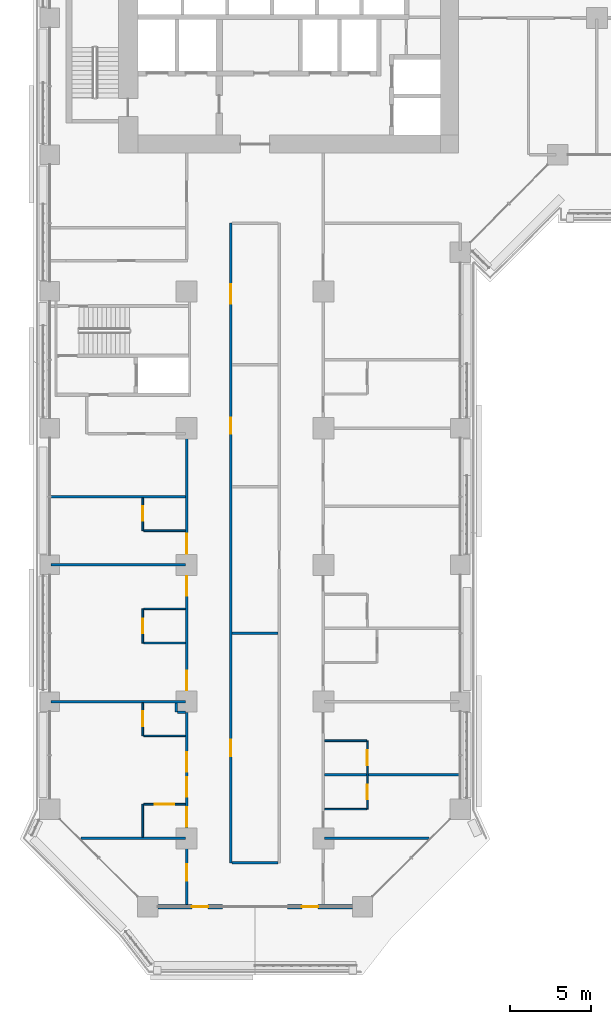
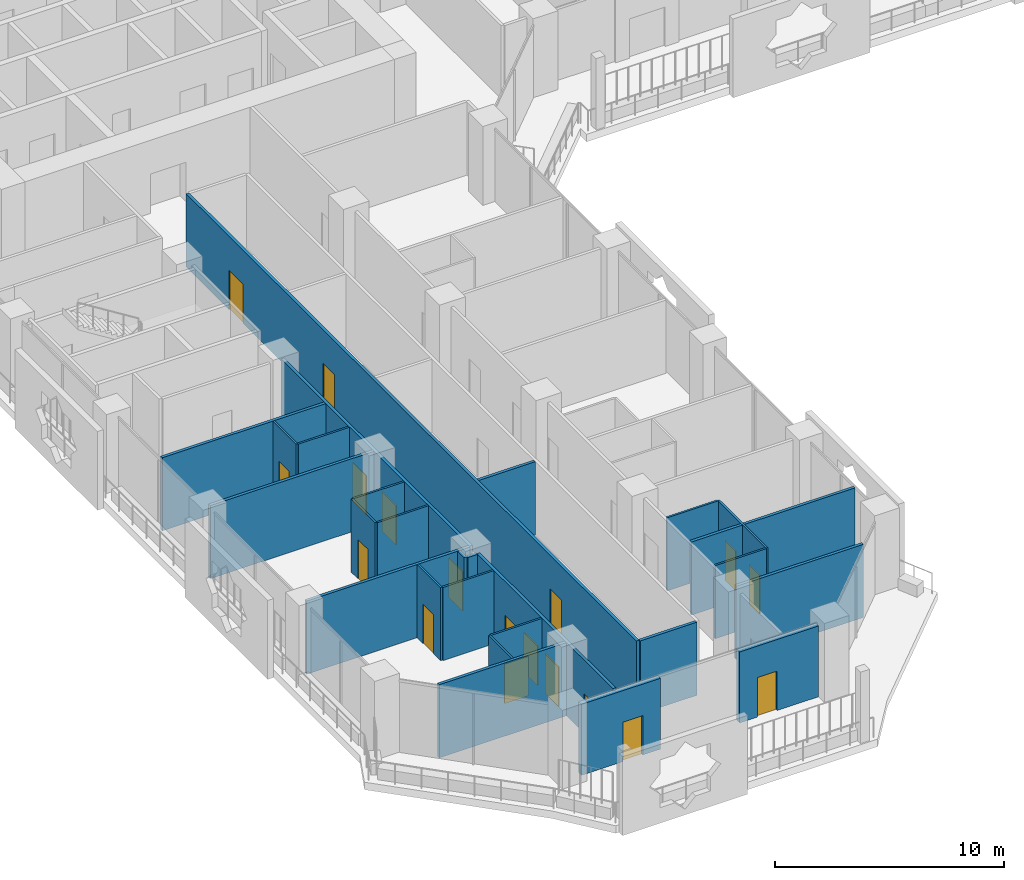
# One storey, part 13 of 28: 27 walls, 18 doors, 18 openings.
"""IFC4 building model written with IfcOpenShell, lengths in metres."""

import ifcopenshell
import ifcopenshell.guid

model = None  # the IFC model being written
_history = None  # IfcOwnerHistory: only IFC2X3 demands one
_inside = {}  # id of a spatial element -> (the spatial element, [elements in it])
_under = {}  # id of a project, library or spatial element -> (it, [spatial elements below it])
_declared = {}  # id of a project -> (the project, [libraries it declares])
_typed = {}  # id of a type object -> (the type object, [elements of that type])
_made_of = {}  # id of a material, layer set ... -> (it, [elements and type objects made of it])


def new_model(schema):
    """Start an empty IFC model of exactly this schema.

    Asked for "IFC4X3", IfcOpenShell would pick the latest addendum, in which some entities
    have other attributes; the version numbers below select the first issue.
    IFC2X3 requires an IfcOwnerHistory on every rooted entity: one is made here for all.
    """
    global model, _history
    if schema == "IFC4X3":
        model = ifcopenshell.file(schema_version=(4, 3, 0, 0))
    else:
        model = ifcopenshell.file(schema=schema)
    _inside.clear()
    _under.clear()
    _declared.clear()
    _typed.clear()
    _made_of.clear()
    _history = None
    if model.schema == "IFC2X3":
        org = make("IfcOrganization", Name="unknown")
        user = make(
            "IfcPersonAndOrganization",
            ThePerson=make("IfcPerson", FamilyName="unknown"),
            TheOrganization=org,
        )
        app = make(
            "IfcApplication",
            ApplicationDeveloper=org,
            Version="unknown",
            ApplicationFullName="unknown",
            ApplicationIdentifier="unknown",
        )
        _history = make(
            "IfcOwnerHistory",
            OwningUser=user,
            OwningApplication=app,
            ChangeAction="ADDED",
            CreationDate=0,
        )
    return model


def make(cls, **values):
    """One entity of the class cls with the attributes given. An attribute that is None is left unset."""
    return model.create_entity(
        cls, **{name: value for name, value in values.items() if value is not None}
    )


def rooted(cls, **values):
    """An entity with a GlobalId (a new one), such as an element, a storey or a relation."""
    return make(cls, GlobalId=ifcopenshell.guid.new(), OwnerHistory=_history, **values)


def si_unit(unit_type, name, prefix=None):
    """IfcSIUnit, for example si_unit("LENGTHUNIT", "METRE", prefix="MILLI")."""
    return make("IfcSIUnit", UnitType=unit_type, Prefix=prefix, Name=name)


def assignment(units):
    """IfcUnitAssignment: the units of a project."""
    return None if units is None else make("IfcUnitAssignment", Units=units)


def point(xyz):
    """IfcCartesianPoint."""
    return None if xyz is None else make("IfcCartesianPoint", Coordinates=xyz)


def direction(xyz):
    """IfcDirection."""
    return None if xyz is None else make("IfcDirection", DirectionRatios=xyz)


def frame(location, z_axis=None, x_axis=None):
    """IfcAxis2Placement3D, a coordinate frame: its origin and axes. An axis left out is left unset."""
    return make(
        "IfcAxis2Placement3D",
        Location=point(location),
        Axis=direction(z_axis),
        RefDirection=direction(x_axis),
    )


def frame_2d(location, x_axis=None):
    """IfcAxis2Placement2D, a coordinate frame in the plane: its origin and x axis."""
    return make(
        "IfcAxis2Placement2D", Location=point(location), RefDirection=direction(x_axis)
    )


def origin():
    """The frame at (0, 0, 0) with its axes left unset."""
    return frame((0.0, 0.0, 0.0))


def place(relative_to, where):
    """IfcLocalPlacement: puts the frame where relative to a parent placement (None: the world)."""
    return make(
        "IfcLocalPlacement", PlacementRelTo=relative_to, RelativePlacement=where
    )


def context(
    kind, dimensions, precision=None, world=None, true_north=None, identifier=None
):
    """IfcGeometricRepresentationContext, for example the 3D "Model" context."""
    return make(
        "IfcGeometricRepresentationContext",
        ContextIdentifier=identifier,
        ContextType=kind,
        CoordinateSpaceDimension=dimensions,
        Precision=precision,
        WorldCoordinateSystem=world,
        TrueNorth=true_north,
    )


def subcontext(parent, identifier, kind, view, scale=None):
    """IfcGeometricRepresentationSubContext, for example "Body" below "Model"."""
    return make(
        "IfcGeometricRepresentationSubContext",
        ContextIdentifier=identifier,
        ContextType=kind,
        ParentContext=parent,
        TargetScale=scale,
        TargetView=view,
    )


def project(units=None, contexts=None):
    """IfcProject with its units and contexts."""
    return rooted(
        "IfcProject",
        Name="project",
        RepresentationContexts=contexts,
        UnitsInContext=assignment(units),
    )


def spatial(cls, under=None, at=None, **own):
    """A site, building, storey or space (cls), placed at a placement, below another one or the project."""
    s = rooted(cls, ObjectPlacement=at, **own)
    if under is not None:
        _under.setdefault(under.id(), (under, []))[1].append(s)
    return s


def profile(cls, at=None, kind="AREA", **sizes):
    """A parametric profile (cls). Its sizes go by their IFC names, for example OverallWidth=200.0."""
    return make(cls, ProfileType=kind, Position=at, **sizes)


def rectangle(**sizes):
    """IfcRectangleProfileDef."""
    return profile("IfcRectangleProfileDef", **sizes)


def extrude(swept, where, along, depth):
    """IfcExtrudedAreaSolid: the profile swept, set in the frame where, extruded along a direction by depth."""
    return make(
        "IfcExtrudedAreaSolid",
        SweptArea=swept,
        Position=where,
        ExtrudedDirection=direction(along),
        Depth=depth,
    )


def shape(context_of_items, identifier, shape_type, items):
    """IfcShapeRepresentation: the items that make up one representation, for example the "Body"."""
    return make(
        "IfcShapeRepresentation",
        ContextOfItems=context_of_items,
        RepresentationIdentifier=identifier,
        RepresentationType=shape_type,
        Items=items,
    )


def material(Name=None, Category=None):
    """IfcMaterial."""
    return make("IfcMaterial", Name=Name, Category=Category)


def layer(
    of_material, thickness, ventilated=None, Name=None, Category=None, Priority=None
):
    """IfcMaterialLayer: one layer of a wall or slab, of a material (None: an air gap)."""
    return make(
        "IfcMaterialLayer",
        Material=of_material,
        LayerThickness=thickness,
        IsVentilated=ventilated,
        Name=Name,
        Category=Category,
        Priority=Priority,
    )


def layer_set(layers, Name=None):
    """IfcMaterialLayerSet."""
    return make("IfcMaterialLayerSet", MaterialLayers=layers, LayerSetName=Name)


def made_of(thing, what):
    """Note that an element or type object is made of a material, layer set ...; save() writes the relation."""
    if what is not None:
        _made_of.setdefault(what.id(), (what, []))[1].append(thing)
    return thing


def type_object(cls, material=None, **own):
    """A type object (cls), such as IfcWallType, which elements share."""
    return made_of(rooted(cls, **own), material)


def element(
    cls,
    number,
    at=None,
    inside=None,
    cuts=None,
    type_object=None,
    material=None,
    context=None,
    identifier="Body",
    shape_type=None,
    held_by="IfcProductDefinitionShape",
    body=None,
    shapes=None,
    **own,
):
    """One element of the class cls, such as IfcWall. Its Tag is "e" and its number.

    at: its placement. inside: the storey or other place that contains it. cuts: it is an
    opening in that element (IfcRelVoidsElement). A single representation is given by context,
    identifier, shape_type and body (its items); several are given by shapes. held_by: the class
    of the entity that holds the representations. save() writes the other relations.
    """
    e = rooted(cls, Tag="e%d" % number, ObjectPlacement=at, **own)
    if body is not None:
        shapes = [shape(context, identifier, shape_type, body)]
    if shapes is not None:
        e.Representation = make(held_by, Representations=shapes)
    if inside is not None:
        _inside.setdefault(inside.id(), (inside, []))[1].append(e)
    if cuts is not None:
        rooted(
            "IfcRelVoidsElement", RelatingBuildingElement=cuts, RelatedOpeningElement=e
        )
    if type_object is not None:
        _typed.setdefault(type_object.id(), (type_object, []))[1].append(e)
    return made_of(e, material)


def fill(opening, filler):
    """IfcRelFillsElement: the door or window that sits in an opening."""
    return rooted(
        "IfcRelFillsElement",
        RelatingOpeningElement=opening,
        RelatedBuildingElement=filler,
    )


def aggregate(whole, parts):
    """IfcRelAggregates: a whole, such as a stair, and the parts it consists of."""
    return rooted("IfcRelAggregates", RelatingObject=whole, RelatedObjects=parts)


def save(model, path):
    """Write the relations noted so far, then the file.

    IfcRelAggregates (storeys below a building ...), IfcRelContainedInSpatialStructure (elements
    in a storey), IfcRelDefinesByType, IfcRelAssociatesMaterial and IfcRelDeclares: one each for
    every whole, place, type object, material and project.
    """
    for whole, parts in _under.values():
        aggregate(whole, parts)
    for where, things in _inside.values():
        rooted(
            "IfcRelContainedInSpatialStructure",
            RelatedElements=things,
            RelatingStructure=where,
        )
    for kind, things in _typed.values():
        rooted("IfcRelDefinesByType", RelatedObjects=things, RelatingType=kind)
    for what, things in _made_of.values():
        rooted("IfcRelAssociatesMaterial", RelatedObjects=things, RelatingMaterial=what)
    for by, libraries in _declared.values():
        rooted("IfcRelDeclares", RelatingContext=by, RelatedDefinitions=libraries)
    model.write(path)


model = new_model("IFC4")

# Units and contexts
model_context = context("Model", 3, precision=1e-05, world=origin(), true_north=direction((0.0, 1.0)))
body_context = subcontext(model_context, "Body", "Model", "MODEL_VIEW")
ifc_project = project(units=[si_unit("LENGTHUNIT", "METRE"), si_unit("AREAUNIT", "SQUARE_METRE"), si_unit("VOLUMEUNIT", "CUBIC_METRE"), si_unit("PLANEANGLEUNIT", "RADIAN"), si_unit("MASSUNIT", "GRAM", prefix="KILO")], contexts=[model_context])

# Site, building, storey
site_placement = place(None, origin())
site = spatial("IfcSite", under=ifc_project, at=site_placement, CompositionType="ELEMENT")
building_placement = place(site_placement, origin())
building = spatial("IfcBuilding", under=site, at=building_placement, Name="Kawkab Arch Medical Tower", CompositionType="ELEMENT")
storey_placement = place(building_placement, frame((0.0, 0.0, 77.0)))
storey = spatial("IfcBuildingStorey", under=building, at=storey_placement, Name="L17", CompositionType="ELEMENT", Elevation=77.0)

# Wall, opening, door
ifc_material_1 = material(Name="Bronze clad insulated wall panel")
ifc_layer_1 = layer(ifc_material_1, 0.25)
ifc_layer_set_1 = layer_set([ifc_layer_1], Name="Bronze clad insulated wall panel")
wall_type_1 = type_object("IfcWallType", Name="External wall bay 250", PredefinedType="SOLIDWALL", material=ifc_layer_set_1)
wall_1_placement = place(storey_placement, frame((6.625, -71.39990234375, 0.0), z_axis=(0.0, 0.0, 1.0), x_axis=(1.0, 0.0, 0.0)))
wall_1 = element("IfcWall", 1, at=wall_1_placement, inside=storey, type_object=wall_type_1, Name="External wall bay L17.R03.1.1", PredefinedType="SOLIDWALL", context=body_context, shape_type="SweptSolid", body=[
    extrude(rectangle(XDim=3.9833984375, YDim=0.25, at=frame_2d((1.99169921875, 0.0))), origin(), (0.0, 0.0, 1.0), 3.780029296875),
])
opening_1_placement = place(wall_1_placement, frame((2.091796875, 0.0, 0.0)))
opening_1 = element("IfcOpeningElement", 2, at=opening_1_placement, cuts=wall_1, Name="Opening W12-701", PredefinedType="OPENING", context=body_context, shape_type="SweptSolid", body=[
    extrude(rectangle(XDim=1.0, YDim=2.10009765625, at=frame_2d((0.5, 1.050048828125))), frame((0.0, 0.135009765625, 0.0), z_axis=(0.0, -1.0, 0.0), x_axis=(1.0, 0.0, 0.0)), (0.0, 0.0, 1.0), 0.27001953125),
])
ifc_material_2 = material(Name="Bronze anodised aluminium door with tinted glass", Category="aluminium")
door_type_1 = type_object("IfcDoorType", Name="Single external door 1000 x 2100", OperationType="SINGLE_SWING_LEFT", PredefinedType="DOOR", material=ifc_material_2)
door_1_placement = place(opening_1_placement, origin())
door_1 = element("IfcDoor", 3, at=door_1_placement, inside=storey, type_object=door_type_1, Name="External door L17.R03.1.1", OperationType="SINGLE_SWING_LEFT", OverallHeight=2.10009765625, OverallWidth=1.0, PredefinedType="DOOR", context=body_context, shape_type="SweptSolid", body=[
    extrude(rectangle(XDim=1.0, YDim=2.10009765625, at=frame_2d((0.5, 1.050048828125))), frame((0.0, 0.02490234375, 0.0), z_axis=(0.0, -1.0, 0.0), x_axis=(1.0, 0.0, 0.0)), (0.0, 0.0, 1.0), 0.050048828125),
])
fill(opening_1, door_1)

wall_2_placement = place(storey_placement, frame((14.591552734375, -71.39990234375, 0.0), z_axis=(0.0, 0.0, 1.0), x_axis=(1.0, 0.0, 0.0)))
wall_2 = element("IfcWall", 4, at=wall_2_placement, inside=storey, type_object=wall_type_1, Name="External wall bay L17.R03.1.3", PredefinedType="SOLIDWALL", context=body_context, shape_type="SweptSolid", body=[
    extrude(rectangle(XDim=3.9833984375, YDim=0.25, at=frame_2d((1.99169921875, 0.0))), origin(), (0.0, 0.0, 1.0), 3.780029296875),
])
opening_2_placement = place(wall_2_placement, frame((0.8916015625, 0.0, 0.0)))
opening_2 = element("IfcOpeningElement", 5, at=opening_2_placement, cuts=wall_2, Name="Opening W12-701", PredefinedType="OPENING", context=body_context, shape_type="SweptSolid", body=[
    extrude(rectangle(XDim=1.0, YDim=2.10009765625, at=frame_2d((0.5, 1.050048828125))), frame((0.0, 0.135009765625, 0.0), z_axis=(0.0, -1.0, 0.0), x_axis=(1.0, 0.0, 0.0)), (0.0, 0.0, 1.0), 0.27001953125),
])
door_2_placement = place(opening_2_placement, origin())
door_2 = element("IfcDoor", 6, at=door_2_placement, inside=storey, type_object=door_type_1, Name="External door L17.R03.1.3", OperationType="SINGLE_SWING_LEFT", OverallHeight=2.10009765625, OverallWidth=1.0, PredefinedType="DOOR", context=body_context, shape_type="SweptSolid", body=[
    extrude(rectangle(XDim=1.0, YDim=2.10009765625, at=frame_2d((0.5, 1.050048828125))), frame((0.0, 0.02490234375, 0.0), z_axis=(0.0, -1.0, 0.0), x_axis=(1.0, 0.0, 0.0)), (0.0, 0.0, 1.0), 0.050048828125),
])
fill(opening_2, door_2)

# Wall
ifc_material_3 = material(Name="Gypsum board partition on steel studs", Category="steel")
ifc_layer_2 = layer(ifc_material_3, 0.10009765625)
ifc_layer_set_2 = layer_set([ifc_layer_2], Name="Gypsum board partition on steel studs")
wall_type_2 = type_object("IfcWallType", Name="Partition 100", PredefinedType="PARTITIONING", material=ifc_layer_set_2)
wall_3_placement = place(storey_placement, frame((16.875, -65.39990234375, 0.0), z_axis=(0.0, 0.0, 1.0), x_axis=(1.0, 0.0, 0.0)))
element("IfcWall", 7, at=wall_3_placement, inside=storey, type_object=wall_type_2, Name="Partition 100 w001", PredefinedType="PARTITIONING", context=body_context, shape_type="SweptSolid", body=[
    extrude(rectangle(XDim=2.574951171875, YDim=0.10009765625, at=frame_2d((1.28759765625, 0.0))), origin(), (0.0, 0.0, 1.0), 3.89990234375),
])

# Wall, opening, door
wall_4_placement = place(storey_placement, frame((5.75, -65.10009765625, 0.0), z_axis=(0.0, 0.0, 1.0), x_axis=(1.0, 0.0, 0.0)))
wall_4 = element("IfcWall", 8, at=wall_4_placement, inside=storey, type_object=wall_type_2, Name="Partition 100 w002", PredefinedType="PARTITIONING", context=body_context, shape_type="SweptSolid", body=[
    extrude(rectangle(XDim=2.574951171875, YDim=0.10009765625, at=frame_2d((1.28759765625, 0.0))), origin(), (0.0, 0.0, 1.0), 3.89990234375),
])
opening_3_placement = place(wall_4_placement, frame((0.699951171875, 0.0, 0.0)))
opening_3 = element("IfcOpeningElement", 9, at=opening_3_placement, cuts=wall_4, Name="Opening W12-068", PredefinedType="OPENING", context=body_context, shape_type="SweptSolid", body=[
    extrude(rectangle(XDim=1.199951171875, YDim=2.10009765625, at=frame_2d((0.60009765625, 1.050048828125))), frame((0.0, 0.06005859375, 0.0), z_axis=(0.0, -1.0, 0.0), x_axis=(1.0, 0.0, 0.0)), (0.0, 0.0, 1.0), 0.1201171875),
])
ifc_material_4 = material(Name="Timber door leaf", Category="wood")
door_type_2 = type_object("IfcDoorType", Name="Single door 1200x2100", OperationType="NOTDEFINED", PredefinedType="DOOR", material=ifc_material_4)
door_3_placement = place(opening_3_placement, origin())
door_3 = element("IfcDoor", 10, at=door_3_placement, inside=storey, type_object=door_type_2, Name="Door W12-068", OperationType="SINGLE_SWING_RIGHT", OverallHeight=2.10009765625, OverallWidth=1.199951171875, PredefinedType="DOOR", context=body_context, shape_type="SweptSolid", body=[
    extrude(rectangle(XDim=1.199951171875, YDim=2.10009765625, at=frame_2d((0.60009765625, 1.050048828125))), frame((0.0, 0.02490234375, 0.0), z_axis=(0.0, -1.0, 0.0), x_axis=(1.0, 0.0, 0.0)), (0.0, 0.0, 1.0), 0.050048828125),
])
fill(opening_3, door_3)

# Walls
for number, where, z_axis, x_axis, name in (
    (11, (16.875, -61.199951171875, 0.0), (0.0, 0.0, 1.0), (1.0, 0.0, 0.0), "Partition 100 w003"),
    (12, (5.75, -60.89990234375, 0.0), (0.0, 0.0, 1.0), (1.0, 0.0, 0.0), "Partition 100 w004"),
):
    element("IfcWall", number, at=place(storey_placement, frame(where, z_axis=z_axis, x_axis=x_axis)), inside=storey, type_object=wall_type_2, Name=name, PredefinedType="PARTITIONING", context=body_context, shape_type="SweptSolid", body=[
        extrude(rectangle(XDim=2.574951171875, YDim=0.10009765625, at=frame_2d((1.28759765625, 0.0))), origin(), (0.0, 0.0, 1.0), 3.89990234375),
    ])
wall_5_placement = place(storey_placement, frame((5.7509765625, -55.199951171875, 0.0), z_axis=(0.0, 0.0, 1.0), x_axis=(1.0, 0.0, 0.0)))
element("IfcWall", 13, at=wall_5_placement, inside=storey, type_object=wall_type_2, Name="Partition 100 w006", PredefinedType="PARTITIONING", context=body_context, shape_type="SweptSolid", body=[
    extrude(rectangle(XDim=2.573974609375, YDim=0.10009765625, at=frame_2d((1.287109375, 0.0))), origin(), (0.0, 0.0, 1.0), 3.89990234375),
])
wall_6_placement = place(storey_placement, frame((5.751953125, -53.10009765625, 0.0), z_axis=(0.0, 0.0, 1.0), x_axis=(1.0, 0.0, 0.0)))
element("IfcWall", 14, at=wall_6_placement, inside=storey, type_object=wall_type_2, Name="Partition 100 w007", PredefinedType="PARTITIONING", context=body_context, shape_type="SweptSolid", body=[
    extrude(rectangle(XDim=2.572998046875, YDim=0.10009765625, at=frame_2d((1.28662109375, 0.0))), origin(), (0.0, 0.0, 1.0), 3.89990234375),
])
wall_7_placement = place(storey_placement, frame((5.75, -48.300048828125, 0.0), z_axis=(0.0, 0.0, 1.0), x_axis=(1.0, 0.0, 0.0)))
element("IfcWall", 15, at=wall_7_placement, inside=storey, type_object=wall_type_2, Name="Partition 100 w009", PredefinedType="PARTITIONING", context=body_context, shape_type="SweptSolid", body=[
    extrude(rectangle(XDim=2.574951171875, YDim=0.10009765625, at=frame_2d((1.28759765625, 0.0))), origin(), (0.0, 0.0, 1.0), 3.89990234375),
])
wall_8_placement = place(storey_placement, frame((5.699951171875, -67.125, 0.0), z_axis=(0.0, 0.0, 1.0), x_axis=(0.0, 1.0, 0.0)))
element("IfcWall", 16, at=wall_8_placement, inside=storey, type_object=wall_type_2, Name="Partition 100 w019", PredefinedType="PARTITIONING", context=body_context, shape_type="SweptSolid", body=[
    extrude(rectangle(XDim=2.02490234375, YDim=0.10009765625, at=frame_2d((1.012451171875, 0.0))), origin(), (0.0, 0.0, 1.0), 3.89990234375),
])

# Wall, opening, door
wall_9_placement = place(storey_placement, frame((5.699951171875, -60.89990234375, 0.0), z_axis=(0.0, 0.0, 1.0), x_axis=(0.0, 1.0, 0.0)))
wall_9 = element("IfcWall", 17, at=wall_9_placement, inside=storey, type_object=wall_type_2, Name="Partition 100 w020", PredefinedType="PARTITIONING", context=body_context, shape_type="SweptSolid", body=[
    extrude(rectangle(XDim=2.02490234375, YDim=0.10009765625, at=frame_2d((1.012451171875, 0.0))), origin(), (0.0, 0.0, 1.0), 3.89990234375),
])
opening_4_placement = place(wall_9_placement, frame((0.60009765625, 0.0, 0.0)))
opening_4 = element("IfcOpeningElement", 18, at=opening_4_placement, cuts=wall_9, Name="Opening W12-019", PredefinedType="OPENING", context=body_context, shape_type="SweptSolid", body=[
    extrude(rectangle(XDim=0.89990234375, YDim=2.10009765625, at=frame_2d((0.449951171875, 1.050048828125))), frame((0.0, 0.06005859375, 0.0), z_axis=(0.0, -1.0, 0.0), x_axis=(1.0, 0.0, 0.0)), (0.0, 0.0, 1.0), 0.1201171875),
])
ifc_material_5 = material(Name="Timber door leaf", Category="wood")
door_type_3 = type_object("IfcDoorType", Name="Single door 900x2100", OperationType="NOTDEFINED", PredefinedType="DOOR", material=ifc_material_5)
door_4_placement = place(opening_4_placement, origin())
door_4 = element("IfcDoor", 19, at=door_4_placement, inside=storey, type_object=door_type_3, Name="Door W12-019", OperationType="SINGLE_SWING_LEFT", OverallHeight=2.10009765625, OverallWidth=0.89990234375, PredefinedType="DOOR", context=body_context, shape_type="SweptSolid", body=[
    extrude(rectangle(XDim=0.89990234375, YDim=2.10009765625, at=frame_2d((0.449951171875, 1.050048828125))), frame((0.0, 0.02490234375, 0.0), z_axis=(0.0, -1.0, 0.0), x_axis=(1.0, 0.0, 0.0)), (0.0, 0.0, 1.0), 0.050048828125),
])
fill(opening_4, door_4)

wall_10_placement = place(storey_placement, frame((5.699951171875, -55.197998046875, 0.0), z_axis=(0.0, 0.0, 1.0), x_axis=(0.0, 1.0, 0.0)))
wall_10 = element("IfcWall", 20, at=wall_10_placement, inside=storey, type_object=wall_type_2, Name="Partition 100 w021", PredefinedType="PARTITIONING", context=body_context, shape_type="SweptSolid", body=[
    extrude(rectangle(XDim=2.095947265625, YDim=0.10009765625, at=frame_2d((1.0478515625, 0.0))), origin(), (0.0, 0.0, 1.0), 3.89990234375),
])
opening_5_placement = place(wall_10_placement, frame((0.597900390625, 0.0, 0.0)))
opening_5 = element("IfcOpeningElement", 21, at=opening_5_placement, cuts=wall_10, Name="Opening W12-018", PredefinedType="OPENING", context=body_context, shape_type="SweptSolid", body=[
    extrude(rectangle(XDim=0.89990234375, YDim=2.10009765625, at=frame_2d((0.449951171875, 1.050048828125))), frame((0.0, 0.06005859375, 0.0), z_axis=(0.0, -1.0, 0.0), x_axis=(1.0, 0.0, 0.0)), (0.0, 0.0, 1.0), 0.1201171875),
])
door_5_placement = place(opening_5_placement, origin())
door_5 = element("IfcDoor", 22, at=door_5_placement, inside=storey, type_object=door_type_3, Name="Door W12-018", OperationType="SINGLE_SWING_RIGHT", OverallHeight=2.10009765625, OverallWidth=0.89990234375, PredefinedType="DOOR", context=body_context, shape_type="SweptSolid", body=[
    extrude(rectangle(XDim=0.89990234375, YDim=2.10009765625, at=frame_2d((0.449951171875, 1.050048828125))), frame((0.0, 0.02490234375, 0.0), z_axis=(0.0, -1.0, 0.0), x_axis=(1.0, 0.0, 0.0)), (0.0, 0.0, 1.0), 0.050048828125),
])
fill(opening_5, door_5)

wall_11_placement = place(storey_placement, frame((5.699951171875, -48.300048828125, 0.0), z_axis=(0.0, 0.0, 1.0), x_axis=(0.0, 1.0, 0.0)))
wall_11 = element("IfcWall", 23, at=wall_11_placement, inside=storey, type_object=wall_type_2, Name="Partition 100 w022", PredefinedType="PARTITIONING", context=body_context, shape_type="SweptSolid", body=[
    extrude(rectangle(XDim=2.025146484375, YDim=0.10009765625, at=frame_2d((1.0126953125, 0.0))), origin(), (0.0, 0.0, 1.0), 3.89990234375),
])
opening_6_placement = place(wall_11_placement, frame((0.60009765625, 0.0, 0.0)))
opening_6 = element("IfcOpeningElement", 24, at=opening_6_placement, cuts=wall_11, Name="Opening W12-017", PredefinedType="OPENING", context=body_context, shape_type="SweptSolid", body=[
    extrude(rectangle(XDim=0.89990234375, YDim=2.10009765625, at=frame_2d((0.449951171875, 1.050048828125))), frame((0.0, 0.06005859375, 0.0), z_axis=(0.0, -1.0, 0.0), x_axis=(1.0, 0.0, 0.0)), (0.0, 0.0, 1.0), 0.1201171875),
])
door_6_placement = place(opening_6_placement, origin())
door_6 = element("IfcDoor", 25, at=door_6_placement, inside=storey, type_object=door_type_3, Name="Door W12-017", OperationType="SINGLE_SWING_LEFT", OverallHeight=2.10009765625, OverallWidth=0.89990234375, PredefinedType="DOOR", context=body_context, shape_type="SweptSolid", body=[
    extrude(rectangle(XDim=0.89990234375, YDim=2.10009765625, at=frame_2d((0.449951171875, 1.050048828125))), frame((0.0, 0.02490234375, 0.0), z_axis=(0.0, -1.0, 0.0), x_axis=(1.0, 0.0, 0.0)), (0.0, 0.0, 1.0), 0.050048828125),
])
fill(opening_6, door_6)

# Wall, openings, doors
wall_12_placement = place(storey_placement, frame((19.5, -65.39990234375, 0.0), z_axis=(0.0, 0.0, 1.0), x_axis=(0.0, 1.0, 0.0)))
wall_12 = element("IfcWall", 26, at=wall_12_placement, inside=storey, type_object=wall_type_2, Name="Partition 100 w023", PredefinedType="PARTITIONING", context=body_context, shape_type="SweptSolid", body=[
    extrude(rectangle(XDim=4.199951171875, YDim=0.10009765625, at=frame_2d((2.10009765625, 0.0))), origin(), (0.0, 0.0, 1.0), 3.89990234375),
])
opening_7_placement = place(wall_12_placement, frame((2.699951171875, 0.0, 0.0)))
opening_7 = element("IfcOpeningElement", 27, at=opening_7_placement, cuts=wall_12, Name="Opening W12-023", PredefinedType="OPENING", context=body_context, shape_type="SweptSolid", body=[
    extrude(rectangle(XDim=0.89990234375, YDim=2.10009765625, at=frame_2d((0.449951171875, 1.050048828125))), frame((0.0, 0.06005859375, 0.0), z_axis=(0.0, -1.0, 0.0), x_axis=(1.0, 0.0, 0.0)), (0.0, 0.0, 1.0), 0.1201171875),
])
opening_8_placement = place(wall_12_placement, frame((0.60009765625, 0.0, 0.0)))
opening_8 = element("IfcOpeningElement", 28, at=opening_8_placement, cuts=wall_12, Name="Opening W12-024", PredefinedType="OPENING", context=body_context, shape_type="SweptSolid", body=[
    extrude(rectangle(XDim=0.89990234375, YDim=2.10009765625, at=frame_2d((0.449951171875, 1.050048828125))), frame((0.0, 0.06005859375, 0.0), z_axis=(0.0, -1.0, 0.0), x_axis=(1.0, 0.0, 0.0)), (0.0, 0.0, 1.0), 0.1201171875),
])
door_7_placement = place(opening_7_placement, origin())
door_7 = element("IfcDoor", 29, at=door_7_placement, inside=storey, type_object=door_type_3, Name="Door W12-023", OperationType="SINGLE_SWING_LEFT", OverallHeight=2.10009765625, OverallWidth=0.89990234375, PredefinedType="DOOR", context=body_context, shape_type="SweptSolid", body=[
    extrude(rectangle(XDim=0.89990234375, YDim=2.10009765625, at=frame_2d((0.449951171875, 1.050048828125))), frame((0.0, 0.02490234375, 0.0), z_axis=(0.0, -1.0, 0.0), x_axis=(1.0, 0.0, 0.0)), (0.0, 0.0, 1.0), 0.050048828125),
])
fill(opening_7, door_7)
door_8_placement = place(opening_8_placement, origin())
door_8 = element("IfcDoor", 30, at=door_8_placement, inside=storey, type_object=door_type_3, Name="Door W12-024", OperationType="SINGLE_SWING_RIGHT", OverallHeight=2.10009765625, OverallWidth=0.89990234375, PredefinedType="DOOR", context=body_context, shape_type="SweptSolid", body=[
    extrude(rectangle(XDim=0.89990234375, YDim=2.10009765625, at=frame_2d((0.449951171875, 1.050048828125))), frame((0.0, 0.02490234375, 0.0), z_axis=(0.0, -1.0, 0.0), x_axis=(1.0, 0.0, 0.0)), (0.0, 0.0, 1.0), 0.050048828125),
])
fill(opening_8, door_8)

# Walls
ifc_material_6 = material(Name="Gypsum board partition on steel studs, mineral wool", Category="steel")
ifc_layer_3 = layer(ifc_material_6, 0.14990234375)
ifc_layer_set_3 = layer_set([ifc_layer_3], Name="Gypsum board partition on steel studs, mineral wool")
wall_type_3 = type_object("IfcWallType", Name="Partition 150", PredefinedType="PARTITIONING", material=ifc_layer_set_3)
wall_13_placement = place(storey_placement, frame((11.175048828125, -68.699951171875, 0.0), z_axis=(0.0, 0.0, 1.0), x_axis=(1.0, 0.0, 0.0)))
element("IfcWall", 31, at=wall_13_placement, inside=storey, type_object=wall_type_3, Name="Partition 150 w038", PredefinedType="PARTITIONING", context=body_context, shape_type="SweptSolid", body=[
    extrude(rectangle(XDim=2.849853515625, YDim=0.14990234375, at=frame_2d((1.4248046875, 0.0))), origin(), (0.0, 0.0, 1.0), 3.89990234375),
])
wall_14_placement = place(storey_placement, frame((1.9130859375, -67.199951171875, 0.0), z_axis=(0.0, 0.0, 1.0), x_axis=(1.0, 0.0, 0.0)))
element("IfcWall", 32, at=wall_14_placement, inside=storey, type_object=wall_type_3, Name="Partition 150 w039", PredefinedType="PARTITIONING", context=body_context, shape_type="SweptSolid", body=[
    extrude(rectangle(XDim=6.411865234375, YDim=0.14990234375, at=frame_2d((3.2060546875, 0.0))), origin(), (0.0, 0.0, 1.0), 3.89990234375),
])
wall_15_placement = place(storey_placement, frame((16.875, -67.199951171875, 0.0), z_axis=(0.0, 0.0, 1.0), x_axis=(1.0, 0.0, 0.0)))
element("IfcWall", 33, at=wall_15_placement, inside=storey, type_object=wall_type_3, Name="Partition 150 w040", PredefinedType="PARTITIONING", context=body_context, shape_type="SweptSolid", body=[
    extrude(rectangle(XDim=6.412109375, YDim=0.14990234375, at=frame_2d((3.2060546875, 0.0))), origin(), (0.0, 0.0, 1.0), 3.89990234375),
])
wall_16_placement = place(storey_placement, frame((16.875, -63.300048828125, 0.0), z_axis=(0.0, 0.0, 1.0), x_axis=(1.0, 0.0, 0.0)))
element("IfcWall", 34, at=wall_16_placement, inside=storey, type_object=wall_type_3, Name="Partition 150 w041", PredefinedType="PARTITIONING", context=body_context, shape_type="SweptSolid", body=[
    extrude(rectangle(XDim=8.2451171875, YDim=0.14990234375, at=frame_2d((4.12255859375, 0.0))), origin(), (0.0, 0.0, 1.0), 3.89990234375),
])
wall_17_placement = place(storey_placement, frame((7.824951171875, -59.449951171875, 0.0), z_axis=(0.0, 0.0, 1.0), x_axis=(1.0, 0.0, 0.0)))
element("IfcWall", 35, at=wall_17_placement, inside=storey, type_object=wall_type_3, Name="Partition 150 w042", PredefinedType="PARTITIONING", context=body_context, shape_type="SweptSolid", body=[
    extrude(rectangle(XDim=0.498046875, YDim=0.14990234375, at=frame_2d((0.2490234375, 0.0))), origin(), (0.0, 0.0, 1.0), 3.89990234375),
])
wall_18_placement = place(storey_placement, frame((0.080078125, -58.800048828125, 0.0), z_axis=(0.0, 0.0, 1.0), x_axis=(1.0, 0.0, 0.0)))
element("IfcWall", 36, at=wall_18_placement, inside=storey, type_object=wall_type_3, Name="Partition 150 w043", PredefinedType="PARTITIONING", context=body_context, shape_type="SweptSolid", body=[
    extrude(rectangle(XDim=8.242919921875, YDim=0.14990234375, at=frame_2d((4.12158203125, 0.0))), origin(), (0.0, 0.0, 1.0), 3.89990234375),
])
wall_19_placement = place(storey_placement, frame((11.175048828125, -54.60009765625, 0.0), z_axis=(0.0, 0.0, 1.0), x_axis=(1.0, 0.0, 0.0)))
element("IfcWall", 37, at=wall_19_placement, inside=storey, type_object=wall_type_3, Name="Partition 150 w045", PredefinedType="PARTITIONING", context=body_context, shape_type="SweptSolid", body=[
    extrude(rectangle(XDim=2.849853515625, YDim=0.14990234375, at=frame_2d((1.4248046875, 0.0))), origin(), (0.0, 0.0, 1.0), 3.89990234375),
])
for number, where, z_axis, x_axis, name in (
    (38, (0.080078125, -50.39990234375, 0.0), (0.0, 0.0, 1.0), (1.0, 0.0, 0.0), "Partition 150 w047"),
    (39, (0.080078125, -46.199951171875, 0.0), (0.0, 0.0, 1.0), (1.0, 0.0, 0.0), "Partition 150 w049"),
):
    element("IfcWall", number, at=place(storey_placement, frame(where, z_axis=z_axis, x_axis=x_axis)), inside=storey, type_object=wall_type_3, Name=name, PredefinedType="PARTITIONING", context=body_context, shape_type="SweptSolid", body=[
        extrude(rectangle(XDim=8.244873046875, YDim=0.14990234375, at=frame_2d((4.12255859375, 0.0))), origin(), (0.0, 0.0, 1.0), 3.89990234375),
    ])
wall_20_placement = place(storey_placement, frame((7.75, -59.449951171875, 0.0), z_axis=(0.0, 0.0, 1.0), x_axis=(0.0, 1.0, 0.0)))
element("IfcWall", 40, at=wall_20_placement, inside=storey, type_object=wall_type_3, Name="Partition 150 w071", PredefinedType="PARTITIONING", context=body_context, shape_type="SweptSolid", body=[
    extrude(rectangle(XDim=0.574951171875, YDim=0.14990234375, at=frame_2d((0.28759765625, 0.0))), origin(), (0.0, 0.0, 1.0), 3.89990234375),
])

# Wall, openings, doors
wall_21_placement = place(storey_placement, frame((8.39990234375, -71.320068359375, 0.0), z_axis=(0.0, 0.0, 1.0), x_axis=(0.0, 1.0, 0.0)))
wall_21 = element("IfcWall", 41, at=wall_21_placement, inside=storey, type_object=wall_type_3, Name="Partition 150 w072", PredefinedType="PARTITIONING", context=body_context, shape_type="SweptSolid", body=[
    extrude(rectangle(XDim=11.8681640625, YDim=0.14990234375, at=frame_2d((5.93408203125, 0.0))), origin(), (0.0, 0.0, 1.0), 3.89990234375),
])
opening_9_placement = place(wall_21_placement, frame((6.669921875, 0.0, 0.0)))
opening_9 = element("IfcOpeningElement", 42, at=opening_9_placement, cuts=wall_21, Name="Opening W12-065", PredefinedType="OPENING", context=body_context, shape_type="SweptSolid", body=[
    extrude(rectangle(XDim=1.199951171875, YDim=2.10009765625, at=frame_2d((0.60009765625, 1.050048828125))), frame((0.0, 0.0849609375, 0.0), z_axis=(0.0, -1.0, 0.0), x_axis=(1.0, 0.0, 0.0)), (0.0, 0.0, 1.0), 0.169921875),
])
opening_10_placement = place(wall_21_placement, frame((8.219970703125, 0.0, 0.0)))
opening_10 = element("IfcOpeningElement", 43, at=opening_10_placement, cuts=wall_21, Name="Opening W12-066", PredefinedType="OPENING", context=body_context, shape_type="SweptSolid", body=[
    extrude(rectangle(XDim=1.199951171875, YDim=2.10009765625, at=frame_2d((0.60009765625, 1.050048828125))), frame((0.0, 0.0849609375, 0.0), z_axis=(0.0, -1.0, 0.0), x_axis=(1.0, 0.0, 0.0)), (0.0, 0.0, 1.0), 0.169921875),
])
opening_11_placement = place(wall_21_placement, frame((4.820068359375, 0.0, 0.0)))
opening_11 = element("IfcOpeningElement", 44, at=opening_11_placement, cuts=wall_21, Name="Opening W12-067", PredefinedType="OPENING", context=body_context, shape_type="SweptSolid", body=[
    extrude(rectangle(XDim=1.199951171875, YDim=2.10009765625, at=frame_2d((0.60009765625, 1.050048828125))), frame((0.0, 0.0849609375, 0.0), z_axis=(0.0, -1.0, 0.0), x_axis=(1.0, 0.0, 0.0)), (0.0, 0.0, 1.0), 0.169921875),
])
opening_12_placement = place(wall_21_placement, frame((1.52001953125, 0.0, 0.0)))
opening_12 = element("IfcOpeningElement", 45, at=opening_12_placement, cuts=wall_21, Name="Opening W12-041", PredefinedType="OPENING", context=body_context, shape_type="SweptSolid", body=[
    extrude(rectangle(XDim=1.0, YDim=2.10009765625, at=frame_2d((0.5, 1.050048828125))), frame((0.0, 0.0849609375, 0.0), z_axis=(0.0, -1.0, 0.0), x_axis=(1.0, 0.0, 0.0)), (0.0, 0.0, 1.0), 0.169921875),
])
ifc_material_7 = material(Name="Hollow metal door leaf")
door_type_4 = type_object("IfcDoorType", Name="Single door 1000x2100 FD30S", OperationType="NOTDEFINED", PredefinedType="DOOR", material=ifc_material_7)
door_9_placement = place(opening_12_placement, origin())
door_9 = element("IfcDoor", 46, at=door_9_placement, inside=storey, type_object=door_type_4, Name="Door W12-041", OperationType="SINGLE_SWING_LEFT", OverallHeight=2.10009765625, OverallWidth=1.0, PredefinedType="DOOR", context=body_context, shape_type="SweptSolid", body=[
    extrude(rectangle(XDim=1.0, YDim=2.10009765625, at=frame_2d((0.5, 1.050048828125))), frame((0.0, 0.02490234375, 0.0), z_axis=(0.0, -1.0, 0.0), x_axis=(1.0, 0.0, 0.0)), (0.0, 0.0, 1.0), 0.050048828125),
])
fill(opening_12, door_9)
ifc_material_8 = material(Name="Hollow metal door leaf")
door_type_5 = type_object("IfcDoorType", Name="Single door 1200x2100 FD30S", OperationType="NOTDEFINED", PredefinedType="DOOR", material=ifc_material_8)
door_10_placement = place(opening_9_placement, origin())
door_10 = element("IfcDoor", 47, at=door_10_placement, inside=storey, type_object=door_type_5, Name="Door W12-065", OperationType="SINGLE_SWING_RIGHT", OverallHeight=2.10009765625, OverallWidth=1.199951171875, PredefinedType="DOOR", context=body_context, shape_type="SweptSolid", body=[
    extrude(rectangle(XDim=1.199951171875, YDim=2.10009765625, at=frame_2d((0.60009765625, 1.050048828125))), frame((0.0, 0.02490234375, 0.0), z_axis=(0.0, -1.0, 0.0), x_axis=(1.0, 0.0, 0.0)), (0.0, 0.0, 1.0), 0.050048828125),
])
fill(opening_9, door_10)
door_11_placement = place(opening_10_placement, origin())
door_11 = element("IfcDoor", 48, at=door_11_placement, inside=storey, type_object=door_type_5, Name="Door W12-066", OperationType="SINGLE_SWING_RIGHT", OverallHeight=2.10009765625, OverallWidth=1.199951171875, PredefinedType="DOOR", context=body_context, shape_type="SweptSolid", body=[
    extrude(rectangle(XDim=1.199951171875, YDim=2.10009765625, at=frame_2d((0.60009765625, 1.050048828125))), frame((0.0, 0.02490234375, 0.0), z_axis=(0.0, -1.0, 0.0), x_axis=(1.0, 0.0, 0.0)), (0.0, 0.0, 1.0), 0.050048828125),
])
fill(opening_10, door_11)
door_12_placement = place(opening_11_placement, origin())
door_12 = element("IfcDoor", 49, at=door_12_placement, inside=storey, type_object=door_type_5, Name="Door W12-067", OperationType="SINGLE_SWING_LEFT", OverallHeight=2.10009765625, OverallWidth=1.199951171875, PredefinedType="DOOR", context=body_context, shape_type="SweptSolid", body=[
    extrude(rectangle(XDim=1.199951171875, YDim=2.10009765625, at=frame_2d((0.60009765625, 1.050048828125))), frame((0.0, 0.02490234375, 0.0), z_axis=(0.0, -1.0, 0.0), x_axis=(1.0, 0.0, 0.0)), (0.0, 0.0, 1.0), 0.050048828125),
])
fill(opening_11, door_12)

wall_22_placement = place(storey_placement, frame((8.39990234375, -58.798095703125, 0.0), z_axis=(0.0, 0.0, 1.0), x_axis=(0.0, 1.0, 0.0)))
wall_22 = element("IfcWall", 50, at=wall_22_placement, inside=storey, type_object=wall_type_3, Name="Partition 150 w073", PredefinedType="PARTITIONING", context=body_context, shape_type="SweptSolid", body=[
    extrude(rectangle(XDim=16.447998046875, YDim=0.14990234375, at=frame_2d((8.22412109375, 0.0))), origin(), (0.0, 0.0, 1.0), 3.89990234375),
])
opening_13_placement = place(wall_22_placement, frame((9.097900390625, 0.0, 0.0)))
opening_13 = element("IfcOpeningElement", 51, at=opening_13_placement, cuts=wall_22, Name="Opening W12-062", PredefinedType="OPENING", context=body_context, shape_type="SweptSolid", body=[
    extrude(rectangle(XDim=1.199951171875, YDim=2.10009765625, at=frame_2d((0.60009765625, 1.050048828125))), frame((0.0, 0.0849609375, 0.0), z_axis=(0.0, -1.0, 0.0), x_axis=(1.0, 0.0, 0.0)), (0.0, 0.0, 1.0), 0.169921875),
])
opening_14_placement = place(wall_22_placement, frame((0.698974609375, 0.0, 0.0)))
opening_14 = element("IfcOpeningElement", 52, at=opening_14_placement, cuts=wall_22, Name="Opening W12-063", PredefinedType="OPENING", context=body_context, shape_type="SweptSolid", body=[
    extrude(rectangle(XDim=1.199951171875, YDim=2.10009765625, at=frame_2d((0.60009765625, 1.050048828125))), frame((0.0, 0.0849609375, 0.0), z_axis=(0.0, -1.0, 0.0), x_axis=(1.0, 0.0, 0.0)), (0.0, 0.0, 1.0), 0.169921875),
])
opening_15_placement = place(wall_22_placement, frame((6.498046875, 0.0, 0.0)))
opening_15 = element("IfcOpeningElement", 53, at=opening_15_placement, cuts=wall_22, Name="Opening W12-064", PredefinedType="OPENING", context=body_context, shape_type="SweptSolid", body=[
    extrude(rectangle(XDim=1.199951171875, YDim=2.10009765625, at=frame_2d((0.60009765625, 1.050048828125))), frame((0.0, 0.0849609375, 0.0), z_axis=(0.0, -1.0, 0.0), x_axis=(1.0, 0.0, 0.0)), (0.0, 0.0, 1.0), 0.169921875),
])
door_13_placement = place(opening_13_placement, origin())
door_13 = element("IfcDoor", 54, at=door_13_placement, inside=storey, type_object=door_type_5, Name="Door W12-062", OperationType="SINGLE_SWING_RIGHT", OverallHeight=2.10009765625, OverallWidth=1.199951171875, PredefinedType="DOOR", context=body_context, shape_type="SweptSolid", body=[
    extrude(rectangle(XDim=1.199951171875, YDim=2.10009765625, at=frame_2d((0.60009765625, 1.050048828125))), frame((0.0, 0.02490234375, 0.0), z_axis=(0.0, -1.0, 0.0), x_axis=(1.0, 0.0, 0.0)), (0.0, 0.0, 1.0), 0.050048828125),
])
fill(opening_13, door_13)
door_14_placement = place(opening_14_placement, origin())
door_14 = element("IfcDoor", 55, at=door_14_placement, inside=storey, type_object=door_type_5, Name="Door W12-063", OperationType="SINGLE_SWING_LEFT", OverallHeight=2.10009765625, OverallWidth=1.199951171875, PredefinedType="DOOR", context=body_context, shape_type="SweptSolid", body=[
    extrude(rectangle(XDim=1.199951171875, YDim=2.10009765625, at=frame_2d((0.60009765625, 1.050048828125))), frame((0.0, 0.02490234375, 0.0), z_axis=(0.0, -1.0, 0.0), x_axis=(1.0, 0.0, 0.0)), (0.0, 0.0, 1.0), 0.050048828125),
])
fill(opening_14, door_14)
door_15_placement = place(opening_15_placement, origin())
door_15 = element("IfcDoor", 56, at=door_15_placement, inside=storey, type_object=door_type_5, Name="Door W12-064", OperationType="SINGLE_SWING_LEFT", OverallHeight=2.10009765625, OverallWidth=1.199951171875, PredefinedType="DOOR", context=body_context, shape_type="SweptSolid", body=[
    extrude(rectangle(XDim=1.199951171875, YDim=2.10009765625, at=frame_2d((0.60009765625, 1.050048828125))), frame((0.0, 0.02490234375, 0.0), z_axis=(0.0, -1.0, 0.0), x_axis=(1.0, 0.0, 0.0)), (0.0, 0.0, 1.0), 0.050048828125),
])
fill(opening_15, door_15)

wall_23_placement = place(storey_placement, frame((11.10009765625, -68.699951171875, 0.0), z_axis=(0.0, 0.0, 1.0), x_axis=(0.0, 1.0, 0.0)))
wall_23 = element("IfcWall", 57, at=wall_23_placement, inside=storey, type_object=wall_type_3, Name="Partition 150 w075", PredefinedType="PARTITIONING", context=body_context, shape_type="SweptSolid", body=[
    extrude(rectangle(XDim=39.300048828125, YDim=0.14990234375, at=frame_2d((19.64990234375, 0.0))), origin(), (0.0, 0.0, 1.0), 3.89990234375),
])
opening_16_placement = place(wall_23_placement, frame((34.35009765625, 0.0, 0.0)))
opening_16 = element("IfcOpeningElement", 58, at=opening_16_placement, cuts=wall_23, Name="Opening W12-069", PredefinedType="OPENING", context=body_context, shape_type="SweptSolid", body=[
    extrude(rectangle(XDim=1.199951171875, YDim=2.10009765625, at=frame_2d((0.60009765625, 1.050048828125))), frame((0.0, 0.0849609375, 0.0), z_axis=(0.0, -1.0, 0.0), x_axis=(1.0, 0.0, 0.0)), (0.0, 0.0, 1.0), 0.169921875),
])
opening_17_placement = place(wall_23_placement, frame((26.35009765625, 0.0, 0.0)))
opening_17 = element("IfcOpeningElement", 59, at=opening_17_placement, cuts=wall_23, Name="Opening W12-042", PredefinedType="OPENING", context=body_context, shape_type="SweptSolid", body=[
    extrude(rectangle(XDim=1.0, YDim=2.10009765625, at=frame_2d((0.5, 1.050048828125))), frame((0.0, 0.0849609375, 0.0), z_axis=(0.0, -1.0, 0.0), x_axis=(1.0, 0.0, 0.0)), (0.0, 0.0, 1.0), 0.169921875),
])
opening_18_placement = place(wall_23_placement, frame((6.550048828125, 0.0, 0.0)))
opening_18 = element("IfcOpeningElement", 60, at=opening_18_placement, cuts=wall_23, Name="Opening W12-044", PredefinedType="OPENING", context=body_context, shape_type="SweptSolid", body=[
    extrude(rectangle(XDim=1.0, YDim=2.10009765625, at=frame_2d((0.5, 1.050048828125))), frame((0.0, 0.0849609375, 0.0), z_axis=(0.0, -1.0, 0.0), x_axis=(1.0, 0.0, 0.0)), (0.0, 0.0, 1.0), 0.169921875),
])
door_16_placement = place(opening_17_placement, origin())
door_16 = element("IfcDoor", 61, at=door_16_placement, inside=storey, type_object=door_type_4, Name="Door W12-042", OperationType="SINGLE_SWING_LEFT", OverallHeight=2.10009765625, OverallWidth=1.0, PredefinedType="DOOR", context=body_context, shape_type="SweptSolid", body=[
    extrude(rectangle(XDim=1.0, YDim=2.10009765625, at=frame_2d((0.5, 1.050048828125))), frame((0.0, 0.02490234375, 0.0), z_axis=(0.0, -1.0, 0.0), x_axis=(1.0, 0.0, 0.0)), (0.0, 0.0, 1.0), 0.050048828125),
])
fill(opening_17, door_16)
door_17_placement = place(opening_18_placement, origin())
door_17 = element("IfcDoor", 62, at=door_17_placement, inside=storey, type_object=door_type_4, Name="Door W12-044", OperationType="SINGLE_SWING_RIGHT", OverallHeight=2.10009765625, OverallWidth=1.0, PredefinedType="DOOR", context=body_context, shape_type="SweptSolid", body=[
    extrude(rectangle(XDim=1.0, YDim=2.10009765625, at=frame_2d((0.5, 1.050048828125))), frame((0.0, 0.02490234375, 0.0), z_axis=(0.0, -1.0, 0.0), x_axis=(1.0, 0.0, 0.0)), (0.0, 0.0, 1.0), 0.050048828125),
])
fill(opening_18, door_17)
door_18_placement = place(opening_16_placement, origin())
door_18 = element("IfcDoor", 63, at=door_18_placement, inside=storey, type_object=door_type_5, Name="Door W12-069", OperationType="SINGLE_SWING_LEFT", OverallHeight=2.10009765625, OverallWidth=1.199951171875, PredefinedType="DOOR", context=body_context, shape_type="SweptSolid", body=[
    extrude(rectangle(XDim=1.199951171875, YDim=2.10009765625, at=frame_2d((0.60009765625, 1.050048828125))), frame((0.0, 0.02490234375, 0.0), z_axis=(0.0, -1.0, 0.0), x_axis=(1.0, 0.0, 0.0)), (0.0, 0.0, 1.0), 0.050048828125),
])
fill(opening_16, door_18)

save(model, "model.ifc")
